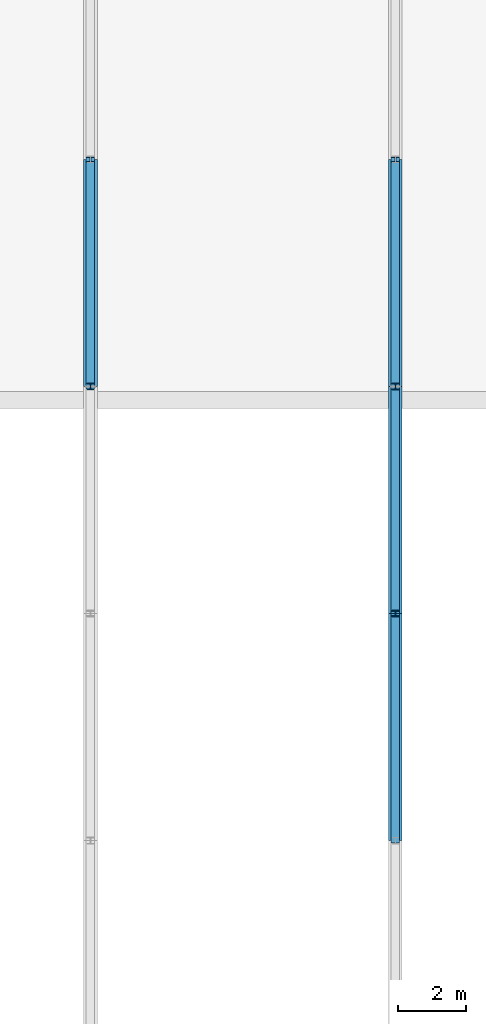
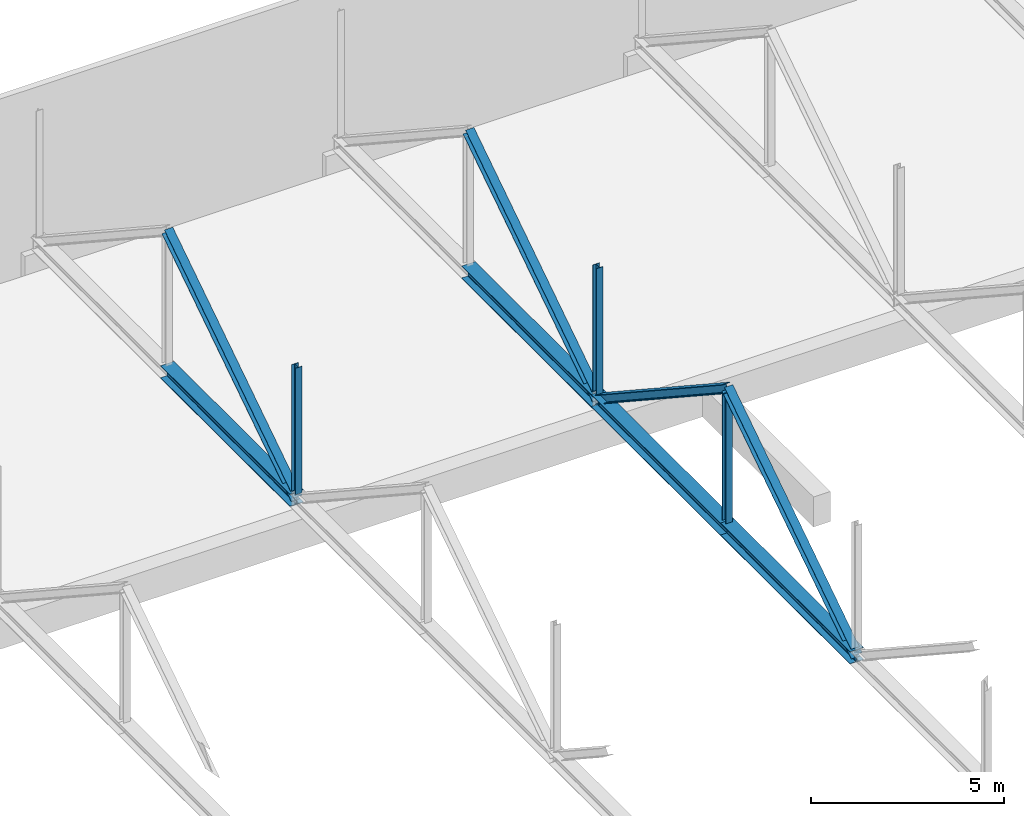
# One storey, part 14 of 49: 11 members.
"""IFC4 building model written with IfcOpenShell, lengths in metres."""

from ifc_helpers import new_model, si_unit, direction, frame, origin, origin_2d, place, context, subcontext, project, spatial, i_section, extrude, material, material_profile, profile_set, type_object, element, save


model = new_model("IFC4")

# Units and contexts
model_context = context("Model", 3, precision=1e-05, world=origin(), true_north=direction((0.0, 1.0)))
body_context = subcontext(model_context, "Body", "Model", "MODEL_VIEW")
ifc_project = project(units=[si_unit("LENGTHUNIT", "METRE"), si_unit("AREAUNIT", "SQUARE_METRE"), si_unit("VOLUMEUNIT", "CUBIC_METRE"), si_unit("PLANEANGLEUNIT", "RADIAN"), si_unit("MASSUNIT", "GRAM", prefix="KILO")], contexts=[model_context])

# Site, building, storey
site_placement = place(None, origin())
site = spatial("IfcSite", under=ifc_project, at=site_placement, CompositionType="ELEMENT")
building_placement = place(site_placement, origin())
building = spatial("IfcBuilding", under=site, at=building_placement, Name="Hunhe Ridgeline Campus", CompositionType="ELEMENT")
storey_placement = place(building_placement, frame((0.0, 0.0, 21.60009765625)))
storey = spatial("IfcBuildingStorey", under=building, at=storey_placement, Name="L04", CompositionType="ELEMENT", Elevation=21.60009765625)

# Members
ifc_material = material(Name="Steel Q355", Category="steel")
ifc_material_profile_1 = material_profile(ifc_material, i_section(OverallWidth=0.39990234375, OverallDepth=0.39990234375, WebThickness=0.012939453125, FlangeThickness=0.02099609375, FilletRadius=0.02197265625, at=origin_2d()))
ifc_profile_set_1 = profile_set([ifc_material_profile_1], Name="Steel Q355")
member_type_1 = type_object("IfcMemberType", Name="Roof truss chord HW400x400x13x21 Q355", PredefinedType="CHORD", material=ifc_profile_set_1)
member_1_placement = place(storey_placement, frame((180.0, 62.89990234375, 0.789794921875), z_axis=(0.0, 1.0, 0.0), x_axis=(-1.0, 0.0, 0.0)))
element("IfcMember", 1, at=member_1_placement, inside=storey, type_object=member_type_1, Name="Roof truss 4 bottom chord 7", PredefinedType="CHORD", context=body_context, shape_type="SweptSolid", body=[
    extrude(i_section(OverallWidth=0.39990234375, OverallDepth=0.39990234375, WebThickness=0.012939453125, FlangeThickness=0.02099609375, FilletRadius=0.02197265625, at=origin_2d()), origin(), (0.0, 0.0, 1.0), 6.7001953125),
])
for number, where, z_axis, x_axis, name in (
    (2, (189.0, 49.5, 0.789794921875), (0.0, 1.0, 0.0), (-1.0, 0.0, 0.0), "Roof truss 5 bottom chord 5"),
    (3, (189.0, 56.199951171875, 0.789794921875), (0.0, 1.0, 0.0), (-1.0, 0.0, 0.0), "Roof truss 5 bottom chord 6"),
):
    element("IfcMember", number, at=place(storey_placement, frame(where, z_axis=z_axis, x_axis=x_axis)), inside=storey, type_object=member_type_1, Name=name, PredefinedType="CHORD", context=body_context, shape_type="SweptSolid", body=[
        extrude(i_section(OverallWidth=0.39990234375, OverallDepth=0.39990234375, WebThickness=0.012939453125, FlangeThickness=0.02099609375, FilletRadius=0.02197265625, at=origin_2d()), origin(), (0.0, 0.0, 1.0), 6.699951171875),
    ])
member_2_placement = place(storey_placement, frame((189.0, 62.89990234375, 0.789794921875), z_axis=(0.0, 1.0, 0.0), x_axis=(-1.0, 0.0, 0.0)))
element("IfcMember", 4, at=member_2_placement, inside=storey, type_object=member_type_1, Name="Roof truss 5 bottom chord 7", PredefinedType="CHORD", context=body_context, shape_type="SweptSolid", body=[
    extrude(i_section(OverallWidth=0.39990234375, OverallDepth=0.39990234375, WebThickness=0.012939453125, FlangeThickness=0.02099609375, FilletRadius=0.02197265625, at=origin_2d()), origin(), (0.0, 0.0, 1.0), 6.7001953125),
])
ifc_material_profile_2 = material_profile(ifc_material, i_section(OverallWidth=0.25, OverallDepth=0.25, WebThickness=0.009033203125, FlangeThickness=0.013916015625, FilletRadius=0.012939453125, at=origin_2d()))
ifc_profile_set_2 = profile_set([ifc_material_profile_2], Name="Steel Q355")
member_type_2 = type_object("IfcMemberType", Name="Roof truss diagonal HW250x250x9x14 Q355", PredefinedType="BRACE", material=ifc_profile_set_2)
member_3_placement = place(storey_placement, frame((180.0, 62.89990234375, 0.789794921875), z_axis=(0.0, 0.835867991585, 0.548930506207), x_axis=(-1.0, 0.0, 0.0)))
element("IfcMember", 5, at=member_3_placement, inside=storey, type_object=member_type_2, Name="Roof truss 4 diagonal 7", PredefinedType="BRACE", context=body_context, shape_type="SweptSolid", body=[
    extrude(i_section(OverallWidth=0.25, OverallDepth=0.25, WebThickness=0.009033203125, FlangeThickness=0.013916015625, FilletRadius=0.012939453125, at=origin_2d()), origin(), (0.0, 0.0, 1.0), 8.015869140625),
])
for number, where, z_axis, x_axis, name in (
    (6, (189.0, 49.5, 0.789794921875), (0.0, 0.835858813721, 0.548944481277), (-1.0, 0.0, 0.0), "Roof truss 5 diagonal 5"),
    (7, (189.0, 56.199951171875, 5.18994140625), (0.0, 0.835858813721, -0.548944481277), (-1.0, 0.0, 0.0), "Roof truss 5 diagonal 6"),
):
    element("IfcMember", number, at=place(storey_placement, frame(where, z_axis=z_axis, x_axis=x_axis)), inside=storey, type_object=member_type_2, Name=name, PredefinedType="BRACE", context=body_context, shape_type="SweptSolid", body=[
        extrude(i_section(OverallWidth=0.25, OverallDepth=0.25, WebThickness=0.009033203125, FlangeThickness=0.013916015625, FilletRadius=0.012939453125, at=origin_2d()), origin(), (0.0, 0.0, 1.0), 8.015625),
    ])
member_4_placement = place(storey_placement, frame((189.0, 62.89990234375, 0.789794921875), z_axis=(0.0, 0.835867991585, 0.548930506207), x_axis=(-1.0, 0.0, 0.0)))
element("IfcMember", 8, at=member_4_placement, inside=storey, type_object=member_type_2, Name="Roof truss 5 diagonal 7", PredefinedType="BRACE", context=body_context, shape_type="SweptSolid", body=[
    extrude(i_section(OverallWidth=0.25, OverallDepth=0.25, WebThickness=0.009033203125, FlangeThickness=0.013916015625, FilletRadius=0.012939453125, at=origin_2d()), origin(), (0.0, 0.0, 1.0), 8.015869140625),
])
ifc_material_profile_3 = material_profile(ifc_material, i_section(OverallWidth=0.199951171875, OverallDepth=0.199951171875, WebThickness=0.008056640625, FlangeThickness=0.011962890625, FilletRadius=0.012939453125, at=origin_2d()))
ifc_profile_set_3 = profile_set([ifc_material_profile_3], Name="Steel Q355")
member_type_3 = type_object("IfcMemberType", Name="Roof truss post HW200x200x8x12 Q355", PredefinedType="POST", material=ifc_profile_set_3)
for number, where, z_axis, x_axis, name in (
    (9, (180.0, 62.89990234375, 0.989990234375), (0.0, 0.0, 1.0), (1.0, 0.0, 0.0), "Roof truss 4 post 6"),
    (10, (189.0, 56.199951171875, 0.989990234375), (0.0, 0.0, 1.0), (1.0, 0.0, 0.0), "Roof truss 5 post 5"),
    (11, (189.0, 62.89990234375, 0.989990234375), (0.0, 0.0, 1.0), (1.0, 0.0, 0.0), "Roof truss 5 post 6"),
):
    element("IfcMember", number, at=place(storey_placement, frame(where, z_axis=z_axis, x_axis=x_axis)), inside=storey, type_object=member_type_3, Name=name, PredefinedType="POST", context=body_context, shape_type="SweptSolid", body=[
        extrude(i_section(OverallWidth=0.199951171875, OverallDepth=0.199951171875, WebThickness=0.008056640625, FlangeThickness=0.011962890625, FilletRadius=0.012939453125, at=origin_2d()), origin(), (0.0, 0.0, 1.0), 4.0),
    ])

save(model, "model.ifc")
